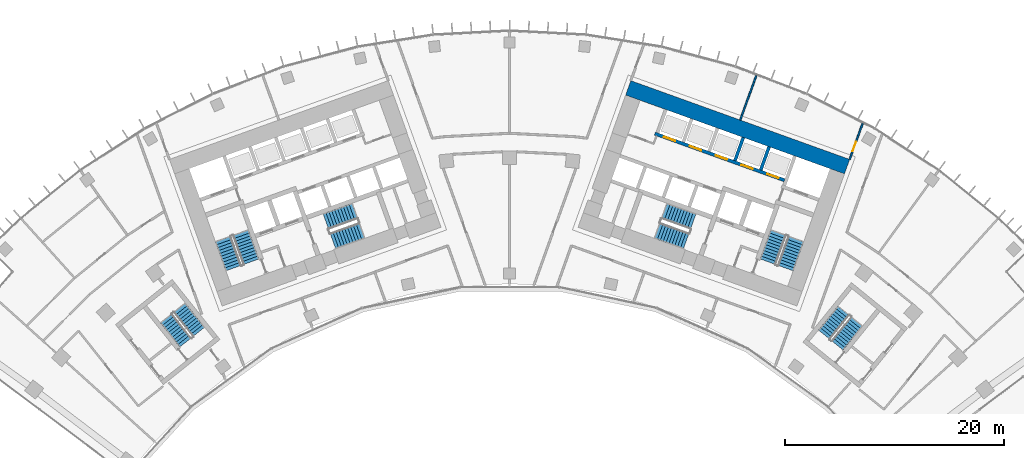
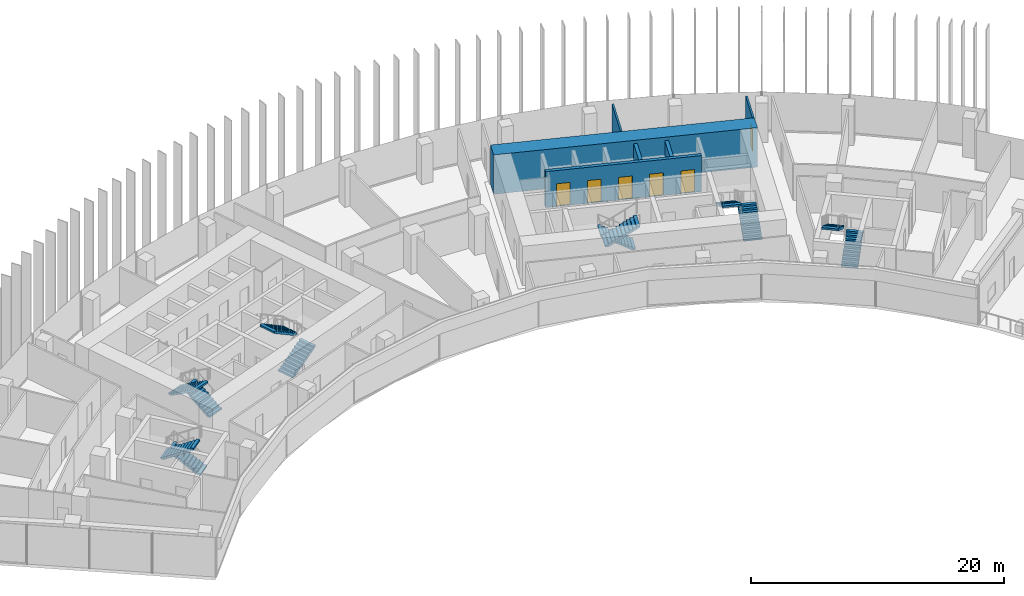
# One storey, part 20 of 23: 12 stair flights, 6 doors, 6 walls, 6 openings, 6 elements without a shape of their own.
"""IFC4 building model written with IfcOpenShell, lengths in metres."""

from ifc_helpers import new_model, si_unit, direction, frame, frame_2d, origin, place, context, subcontext, project, spatial, polyline, rectangle, outline, extrude, material, layer, layer_set, type_object, element, fill, aggregate, save


model = new_model("IFC4")

# Units and contexts
model_context = context("Model", 3, precision=1e-05, world=origin(), true_north=direction((0.0, 1.0)))
body_context = subcontext(model_context, "Body", "Model", "MODEL_VIEW")
ifc_project = project(units=[si_unit("LENGTHUNIT", "METRE"), si_unit("AREAUNIT", "SQUARE_METRE"), si_unit("VOLUMEUNIT", "CUBIC_METRE"), si_unit("PLANEANGLEUNIT", "RADIAN"), si_unit("MASSUNIT", "GRAM", prefix="KILO")], contexts=[model_context])

# Site, building, storey
site_placement = place(None, origin())
site = spatial("IfcSite", under=ifc_project, at=site_placement, CompositionType="ELEMENT")
building_placement = place(site_placement, origin())
building = spatial("IfcBuilding", under=site, at=building_placement, Name="Stone Belt Terrace Tower", CompositionType="ELEMENT")
storey_placement = place(building_placement, frame((0.0, 0.0, 144.0)))
storey = spatial("IfcBuildingStorey", under=building, at=storey_placement, Name="L34", CompositionType="ELEMENT", Elevation=144.0)

# Wall
ifc_material_1 = material(Name="Concrete B80", Category="concrete")
ifc_layer_1 = layer(ifc_material_1, 1.39990234375)
ifc_layer_set_1 = layer_set([ifc_layer_1], Name="Core wall 1400 B80")
wall_type_1 = type_object("IfcWallType", Name="Core wall 1400 B80", PredefinedType="SHEAR", material=ifc_layer_set_1)
wall_1_placement = place(storey_placement, frame((10.81787109375, 61.362060546875, 0.0), z_axis=(0.0, 0.0, 1.0), x_axis=(0.940919704758, -0.338629752382, 0.0)))
element("IfcWall", 1, at=wall_1_placement, inside=storey, type_object=wall_type_1, Name="Core B wall convex L34", PredefinedType="SHEAR", context=body_context, shape_type="SweptSolid", body=[
    extrude(rectangle(XDim=21.199951171875, YDim=1.39990234375, at=frame_2d((10.60009765625, 0.0))), origin(), (0.0, 0.0, 1.0), 3.800048828125),
])

# Wall, openings, doors
ifc_layer_2 = layer(ifc_material_1, 0.300048828125)
ifc_layer_set_2 = layer_set([ifc_layer_2], Name="Lift shaft wall 300")
wall_type_2 = type_object("IfcWallType", Name="Lift shaft wall 300", PredefinedType="SHEAR", material=ifc_layer_set_2)
wall_2_placement = place(storey_placement, frame((25.05810546875, 52.9423828125, 0.0), z_axis=(0.0, 0.0, 1.0), x_axis=(-0.940921381676, 0.338625092847, 0.0)))
wall_2 = element("IfcWall", 2, at=wall_2_placement, inside=storey, type_object=wall_type_2, Name="Core B wall", PredefinedType="SHEAR", context=body_context, shape_type="SweptSolid", body=[
    extrude(rectangle(XDim=12.550048828125, YDim=0.300048828125, at=frame_2d((6.27490234375, 0.0))), origin(), (0.0, 0.0, 1.0), 3.47998046875),
])
opening_1_placement = place(wall_2_placement, frame((0.570068359375, 0.0, 0.0)))
opening_1 = element("IfcOpeningElement", 3, at=opening_1_placement, cuts=wall_2, Name="Opening L34-LD11", PredefinedType="OPENING", context=body_context, shape_type="SweptSolid", body=[
    extrude(rectangle(XDim=1.10009765625, YDim=2.199951171875, at=frame_2d((0.550048828125, 1.10009765625))), frame((0.0, 0.159912109375, 0.0), z_axis=(0.0, -1.0, 0.0), x_axis=(1.0, 0.0, 0.0)), (0.0, 0.0, 1.0), 0.320068359375),
])
opening_2_placement = place(wall_2_placement, frame((3.070068359375, 0.0, 0.0)))
opening_2 = element("IfcOpeningElement", 4, at=opening_2_placement, cuts=wall_2, Name="Opening L34-LD12", PredefinedType="OPENING", context=body_context, shape_type="SweptSolid", body=[
    extrude(rectangle(XDim=1.10009765625, YDim=2.199951171875, at=frame_2d((0.550048828125, 1.10009765625))), frame((0.0, 0.159912109375, 0.0), z_axis=(0.0, -1.0, 0.0), x_axis=(1.0, 0.0, 0.0)), (0.0, 0.0, 1.0), 0.320068359375),
])
opening_3_placement = place(wall_2_placement, frame((5.570068359375, 0.0, 0.0)))
opening_3 = element("IfcOpeningElement", 5, at=opening_3_placement, cuts=wall_2, Name="Opening L34-LD13", PredefinedType="OPENING", context=body_context, shape_type="SweptSolid", body=[
    extrude(rectangle(XDim=1.10009765625, YDim=2.199951171875, at=frame_2d((0.550048828125, 1.10009765625))), frame((0.0, 0.159912109375, 0.0), z_axis=(0.0, -1.0, 0.0), x_axis=(1.0, 0.0, 0.0)), (0.0, 0.0, 1.0), 0.320068359375),
])
opening_4_placement = place(wall_2_placement, frame((8.070068359375, 0.0, 0.0)))
opening_4 = element("IfcOpeningElement", 6, at=opening_4_placement, cuts=wall_2, Name="Opening L34-LD14", PredefinedType="OPENING", context=body_context, shape_type="SweptSolid", body=[
    extrude(rectangle(XDim=1.10009765625, YDim=2.199951171875, at=frame_2d((0.550048828125, 1.10009765625))), frame((0.0, 0.159912109375, 0.0), z_axis=(0.0, -1.0, 0.0), x_axis=(1.0, 0.0, 0.0)), (0.0, 0.0, 1.0), 0.320068359375),
])
opening_5_placement = place(wall_2_placement, frame((10.570068359375, 0.0, 0.0)))
opening_5 = element("IfcOpeningElement", 7, at=opening_5_placement, cuts=wall_2, Name="Opening L34-LD15", PredefinedType="OPENING", context=body_context, shape_type="SweptSolid", body=[
    extrude(rectangle(XDim=1.10009765625, YDim=2.199951171875, at=frame_2d((0.550048828125, 1.10009765625))), frame((0.0, 0.159912109375, 0.0), z_axis=(0.0, -1.0, 0.0), x_axis=(1.0, 0.0, 0.0)), (0.0, 0.0, 1.0), 0.320068359375),
])
ifc_material_2 = material(Name="Stainless steel door leaf", Category="steel")
door_type_1 = type_object("IfcDoorType", Name="Landing door 1100", OperationType="SLIDING_TO_LEFT", PredefinedType="DOOR", material=ifc_material_2)
door_1_placement = place(opening_1_placement, origin())
door_1 = element("IfcDoor", 8, at=door_1_placement, inside=storey, type_object=door_type_1, Name="Landing door MR1 core B", OperationType="SLIDING_TO_LEFT", OverallHeight=2.199951171875, OverallWidth=1.10009765625, PredefinedType="DOOR", context=body_context, shape_type="SweptSolid", body=[
    extrude(rectangle(XDim=1.10009765625, YDim=2.199951171875, at=frame_2d((0.550048828125, 1.10009765625))), frame((0.0, 0.02490234375, 0.0), z_axis=(0.0, -1.0, 0.0), x_axis=(1.0, 0.0, 0.0)), (0.0, 0.0, 1.0), 0.050048828125),
])
fill(opening_1, door_1)
door_2_placement = place(opening_2_placement, origin())
door_2 = element("IfcDoor", 9, at=door_2_placement, inside=storey, type_object=door_type_1, Name="Landing door MR2 core B", OperationType="SLIDING_TO_LEFT", OverallHeight=2.199951171875, OverallWidth=1.10009765625, PredefinedType="DOOR", context=body_context, shape_type="SweptSolid", body=[
    extrude(rectangle(XDim=1.10009765625, YDim=2.199951171875, at=frame_2d((0.550048828125, 1.10009765625))), frame((0.0, 0.02490234375, 0.0), z_axis=(0.0, -1.0, 0.0), x_axis=(1.0, 0.0, 0.0)), (0.0, 0.0, 1.0), 0.050048828125),
])
fill(opening_2, door_2)
door_3_placement = place(opening_3_placement, origin())
door_3 = element("IfcDoor", 10, at=door_3_placement, inside=storey, type_object=door_type_1, Name="Landing door MR3 core B", OperationType="SLIDING_TO_LEFT", OverallHeight=2.199951171875, OverallWidth=1.10009765625, PredefinedType="DOOR", context=body_context, shape_type="SweptSolid", body=[
    extrude(rectangle(XDim=1.10009765625, YDim=2.199951171875, at=frame_2d((0.550048828125, 1.10009765625))), frame((0.0, 0.02490234375, 0.0), z_axis=(0.0, -1.0, 0.0), x_axis=(1.0, 0.0, 0.0)), (0.0, 0.0, 1.0), 0.050048828125),
])
fill(opening_3, door_3)
door_4_placement = place(opening_4_placement, origin())
door_4 = element("IfcDoor", 11, at=door_4_placement, inside=storey, type_object=door_type_1, Name="Landing door MR4 core B", OperationType="SLIDING_TO_LEFT", OverallHeight=2.199951171875, OverallWidth=1.10009765625, PredefinedType="DOOR", context=body_context, shape_type="SweptSolid", body=[
    extrude(rectangle(XDim=1.10009765625, YDim=2.199951171875, at=frame_2d((0.550048828125, 1.10009765625))), frame((0.0, 0.02490234375, 0.0), z_axis=(0.0, -1.0, 0.0), x_axis=(1.0, 0.0, 0.0)), (0.0, 0.0, 1.0), 0.050048828125),
])
fill(opening_4, door_4)
door_5_placement = place(opening_5_placement, origin())
door_5 = element("IfcDoor", 12, at=door_5_placement, inside=storey, type_object=door_type_1, Name="Landing door MR5 core B", OperationType="SLIDING_TO_LEFT", OverallHeight=2.199951171875, OverallWidth=1.10009765625, PredefinedType="DOOR", context=body_context, shape_type="SweptSolid", body=[
    extrude(rectangle(XDim=1.10009765625, YDim=2.199951171875, at=frame_2d((0.550048828125, 1.10009765625))), frame((0.0, 0.02490234375, 0.0), z_axis=(0.0, -1.0, 0.0), x_axis=(1.0, 0.0, 0.0)), (0.0, 0.0, 1.0), 0.050048828125),
])
fill(opening_5, door_5)

# Walls
wall_3_placement = place(storey_placement, frame((22.897705078125, 53.87939453125, 0.0), z_axis=(0.0, 0.0, 1.0), x_axis=(0.338535034312, 0.940953787677, 0.0)))
element("IfcWall", 13, at=wall_3_placement, inside=storey, type_object=wall_type_2, Name="Core B wall", PredefinedType="SHEAR", context=body_context, shape_type="SweptSolid", body=[
    extrude(rectangle(XDim=2.25, YDim=0.300048828125, at=frame_2d((1.125, 0.0))), origin(), (0.0, 0.0, 1.0), 3.47998046875),
])
wall_4_placement = place(storey_placement, frame((20.54541015625, 54.72607421875, 0.0), z_axis=(0.0, 0.0, 1.0), x_axis=(0.338569601369, 0.940941350472, 0.0)))
element("IfcWall", 14, at=wall_4_placement, inside=storey, type_object=wall_type_2, Name="Core B wall", PredefinedType="SHEAR", context=body_context, shape_type="SweptSolid", body=[
    extrude(rectangle(XDim=2.249755859375, YDim=0.300048828125, at=frame_2d((1.125, 0.0))), origin(), (0.0, 0.0, 1.0), 3.47998046875),
])

# Wall, opening, door
ifc_material_3 = material(Name="Gypsum board partition")
ifc_layer_3 = layer(ifc_material_3, 0.14990234375)
ifc_layer_set_3 = layer_set([ifc_layer_3], Name="PARTITION 150 EI 60")
wall_type_3 = type_object("IfcWallType", Name="PARTITION 150 EI 60", PredefinedType="PARTITIONING", material=ifc_layer_set_3)
wall_5_placement = place(storey_placement, frame((31.001953125, 54.842041015625, 0.0), z_axis=(0.0, 0.0, 1.0), x_axis=(0.338662585219, 0.940907887826, 0.0)))
wall_5 = element("IfcWall", 15, at=wall_5_placement, inside=storey, type_object=wall_type_3, Name="L34/wall/i024", PredefinedType="PARTITIONING", context=body_context, shape_type="SweptSolid", body=[
    extrude(rectangle(XDim=3.49560546875, YDim=0.14990234375, at=frame_2d((1.747802734375, 0.0))), origin(), (0.0, 0.0, 1.0), 3.47998046875),
])
opening_6_placement = place(wall_5_placement, frame((0.798828125, 0.0, 0.0)))
opening_6 = element("IfcOpeningElement", 16, at=opening_6_placement, cuts=wall_5, Name="Opening D-SK1-10", PredefinedType="OPENING", context=body_context, shape_type="SweptSolid", body=[
    extrude(rectangle(XDim=0.89990234375, YDim=2.10009765625, at=frame_2d((0.449951171875, 1.050048828125))), frame((0.0, 0.0849609375, 0.0), z_axis=(0.0, -1.0, 0.0), x_axis=(1.0, 0.0, 0.0)), (0.0, 0.0, 1.0), 0.169921875),
])
ifc_material_4 = material(Name="Timber door leaf", Category="wood")
door_type_2 = type_object("IfcDoorType", Name="OFFICE DOOR 900 X 2100", OperationType="NOTDEFINED", PredefinedType="DOOR", material=ifc_material_4)
door_6_placement = place(opening_6_placement, origin())
door_6 = element("IfcDoor", 17, at=door_6_placement, inside=storey, type_object=door_type_2, Name="L34/door/i10", OperationType="SINGLE_SWING_LEFT", OverallHeight=2.10009765625, OverallWidth=0.89990234375, PredefinedType="DOOR", context=body_context, shape_type="SweptSolid", body=[
    extrude(rectangle(XDim=0.89990234375, YDim=2.10009765625, at=frame_2d((0.449951171875, 1.050048828125))), frame((0.0, 0.02490234375, 0.0), z_axis=(0.0, -1.0, 0.0), x_axis=(1.0, 0.0, 0.0)), (0.0, 0.0, 1.0), 0.050048828125),
])
fill(opening_6, door_6)

# Wall
wall_6_placement = place(storey_placement, frame((22.492919921875, 62.4990234375, 0.0), z_axis=(0.0, 0.0, 1.0), x_axis=(-0.338585491978, -0.94093563256, 0.0)))
element("IfcWall", 18, at=wall_6_placement, inside=storey, type_object=wall_type_3, Name="L34/wall/i034", PredefinedType="PARTITIONING", context=body_context, shape_type="SweptSolid", body=[
    extrude(rectangle(XDim=4.323486328125, YDim=0.14990234375, at=frame_2d((2.16162109375, 0.0))), origin(), (0.0, 0.0, 1.0), 3.47998046875),
])

# Stair, stair flights
ifc_material_5 = material(Name="Concrete B40", Category="concrete")
stair_type = type_object("IfcStairType", Name="Exit stair 1500", PredefinedType="HALF_TURN_STAIR", material=ifc_material_5)
stair_1_placement = place(storey_placement, origin())
stair_1 = element("IfcStair", 19, at=stair_1_placement, inside=storey, type_object=stair_type, Name="L34 Exit stair 1 core A", PredefinedType="HALF_TURN_STAIR")
stair_flight_type = type_object("IfcStairFlightType", Name="Stair flight 1500", PredefinedType="STRAIGHT", material=ifc_material_5)
stair_flight_1_placement = place(storey_placement, frame((-23.55322265625, 45.51318359375, 0.0), z_axis=(0.0, 0.0, 1.0), x_axis=(-0.338624396177, 0.940921632398, 0.0)))
stair_flight_1 = element("IfcStairFlight", 20, at=stair_flight_1_placement, type_object=stair_flight_type, Name="ST1A flight 1", NumberOfRisers=11, NumberOfTreads=10, PredefinedType="STRAIGHT", RiserHeight=0.172727273, TreadLength=0.28, context=body_context, shape_type="SweptSolid", body=[
    extrude(outline(polyline([(0.0, 0.0), (0.0, 0.172607421875), (0.280029296875, 0.172607421875), (0.280029296875, 0.345458984375), (0.56005859375, 0.345458984375), (0.56005859375, 0.51806640625), (0.840087890625, 0.51806640625), (0.840087890625, 0.69091796875), (1.1201171875, 0.69091796875), (1.1201171875, 0.863525390625), (1.39990234375, 0.863525390625), (1.39990234375, 1.036376953125), (1.679931640625, 1.036376953125), (1.679931640625, 1.208984375), (1.9599609375, 1.208984375), (1.9599609375, 1.3818359375), (2.239990234375, 1.3818359375), (2.239990234375, 1.554443359375), (2.52001953125, 1.554443359375), (2.52001953125, 1.727294921875), (2.800048828125, 1.727294921875), (2.800048828125, 1.89990234375), (2.800048828125, 1.551025390625), (0.285400390625, 0.0), (0.0, 0.0)])), frame((0.0, 0.75, 0.0), z_axis=(0.0, -1.0, 0.0), x_axis=(1.0, 0.0, 0.0)), (0.0, 0.0, 1.0), 1.5),
])
stair_flight_2_placement = place(storey_placement, frame((-26.10107421875, 47.572021484375, 1.89990234375), z_axis=(0.0, 0.0, 1.0), x_axis=(0.338624396177, -0.940921632398, 0.0)))
stair_flight_2 = element("IfcStairFlight", 21, at=stair_flight_2_placement, type_object=stair_flight_type, Name="ST1A flight 2", NumberOfRisers=11, NumberOfTreads=10, PredefinedType="STRAIGHT", RiserHeight=0.172727273, TreadLength=0.28, context=body_context, shape_type="SweptSolid", body=[
    extrude(outline(polyline([(0.0, 0.0), (0.0, 0.172607421875), (0.280029296875, 0.172607421875), (0.280029296875, 0.345458984375), (0.56005859375, 0.345458984375), (0.56005859375, 0.51806640625), (0.840087890625, 0.51806640625), (0.840087890625, 0.69091796875), (1.1201171875, 0.69091796875), (1.1201171875, 0.863525390625), (1.39990234375, 0.863525390625), (1.39990234375, 1.036376953125), (1.679931640625, 1.036376953125), (1.679931640625, 1.208984375), (1.9599609375, 1.208984375), (1.9599609375, 1.3818359375), (2.239990234375, 1.3818359375), (2.239990234375, 1.554443359375), (2.52001953125, 1.554443359375), (2.52001953125, 1.727294921875), (2.800048828125, 1.727294921875), (2.800048828125, 1.89990234375), (2.800048828125, 1.551025390625), (0.285400390625, 0.0), (0.0, 0.0)])), frame((0.0, 0.75, 0.0), z_axis=(0.0, -1.0, 0.0), x_axis=(1.0, 0.0, 0.0)), (0.0, 0.0, 1.0), 1.5),
])
aggregate(stair_1, [stair_flight_1, stair_flight_2])

stair_2_placement = place(storey_placement, origin())
stair_2 = element("IfcStair", 22, at=stair_2_placement, inside=storey, type_object=stair_type, Name="L34 Exit stair 2 core A", PredefinedType="HALF_TURN_STAIR")
stair_flight_3_placement = place(storey_placement, frame((-16.101318359375, 47.39794921875, 0.0), z_axis=(0.0, 0.0, 1.0), x_axis=(0.940921632398, 0.338624396177, 0.0)))
stair_flight_3 = element("IfcStairFlight", 23, at=stair_flight_3_placement, type_object=stair_flight_type, Name="ST2A flight 1", NumberOfRisers=11, NumberOfTreads=10, PredefinedType="STRAIGHT", RiserHeight=0.172727273, TreadLength=0.28, context=body_context, shape_type="SweptSolid", body=[
    extrude(outline(polyline([(0.0, 0.0), (0.0, 0.172607421875), (0.280029296875, 0.172607421875), (0.280029296875, 0.345458984375), (0.56005859375, 0.345458984375), (0.56005859375, 0.51806640625), (0.840087890625, 0.51806640625), (0.840087890625, 0.69091796875), (1.1201171875, 0.69091796875), (1.1201171875, 0.863525390625), (1.39990234375, 0.863525390625), (1.39990234375, 1.036376953125), (1.679931640625, 1.036376953125), (1.679931640625, 1.208984375), (1.9599609375, 1.208984375), (1.9599609375, 1.3818359375), (2.239990234375, 1.3818359375), (2.239990234375, 1.554443359375), (2.52001953125, 1.554443359375), (2.52001953125, 1.727294921875), (2.800048828125, 1.727294921875), (2.800048828125, 1.89990234375), (2.800048828125, 1.551025390625), (0.285400390625, 0.0), (0.0, 0.0)])), frame((0.0, 0.75, 0.0), z_axis=(0.0, -1.0, 0.0), x_axis=(1.0, 0.0, 0.0)), (0.0, 0.0, 1.0), 1.5),
])
stair_flight_4_placement = place(storey_placement, frame((-14.110107421875, 50.1337890625, 1.89990234375), z_axis=(0.0, 0.0, 1.0), x_axis=(-0.940921632398, -0.338624396177, 0.0)))
stair_flight_4 = element("IfcStairFlight", 24, at=stair_flight_4_placement, type_object=stair_flight_type, Name="ST2A flight 2", NumberOfRisers=11, NumberOfTreads=10, PredefinedType="STRAIGHT", RiserHeight=0.172727273, TreadLength=0.28, context=body_context, shape_type="SweptSolid", body=[
    extrude(outline(polyline([(0.0, 0.0), (0.0, 0.172607421875), (0.280029296875, 0.172607421875), (0.280029296875, 0.345458984375), (0.56005859375, 0.345458984375), (0.56005859375, 0.51806640625), (0.840087890625, 0.51806640625), (0.840087890625, 0.69091796875), (1.1201171875, 0.69091796875), (1.1201171875, 0.863525390625), (1.39990234375, 0.863525390625), (1.39990234375, 1.036376953125), (1.679931640625, 1.036376953125), (1.679931640625, 1.208984375), (1.9599609375, 1.208984375), (1.9599609375, 1.3818359375), (2.239990234375, 1.3818359375), (2.239990234375, 1.554443359375), (2.52001953125, 1.554443359375), (2.52001953125, 1.727294921875), (2.800048828125, 1.727294921875), (2.800048828125, 1.89990234375), (2.800048828125, 1.551025390625), (0.285400390625, 0.0), (0.0, 0.0)])), frame((0.0, 0.75, 0.0), z_axis=(0.0, -1.0, 0.0), x_axis=(1.0, 0.0, 0.0)), (0.0, 0.0, 1.0), 1.5),
])
aggregate(stair_2, [stair_flight_3, stair_flight_4])

stair_3_placement = place(storey_placement, origin())
stair_3 = element("IfcStair", 25, at=stair_3_placement, inside=storey, type_object=stair_type, Name="L34 Exit stair 1 core B", PredefinedType="HALF_TURN_STAIR")
stair_flight_5_placement = place(storey_placement, frame((25.15283203125, 44.9375, 0.0), z_axis=(0.0, 0.0, 1.0), x_axis=(0.338624396177, 0.940921632398, 0.0)))
stair_flight_5 = element("IfcStairFlight", 26, at=stair_flight_5_placement, type_object=stair_flight_type, Name="ST1B flight 1", NumberOfRisers=11, NumberOfTreads=10, PredefinedType="STRAIGHT", RiserHeight=0.172727273, TreadLength=0.28, context=body_context, shape_type="SweptSolid", body=[
    extrude(outline(polyline([(0.0, 0.0), (0.0, 0.172607421875), (0.280029296875, 0.172607421875), (0.280029296875, 0.345458984375), (0.56005859375, 0.345458984375), (0.56005859375, 0.51806640625), (0.840087890625, 0.51806640625), (0.840087890625, 0.69091796875), (1.1201171875, 0.69091796875), (1.1201171875, 0.863525390625), (1.39990234375, 0.863525390625), (1.39990234375, 1.036376953125), (1.679931640625, 1.036376953125), (1.679931640625, 1.208984375), (1.9599609375, 1.208984375), (1.9599609375, 1.3818359375), (2.239990234375, 1.3818359375), (2.239990234375, 1.554443359375), (2.52001953125, 1.554443359375), (2.52001953125, 1.727294921875), (2.800048828125, 1.727294921875), (2.800048828125, 1.89990234375), (2.800048828125, 1.551025390625), (0.285400390625, 0.0), (0.0, 0.0)])), frame((0.0, 0.75, 0.0), z_axis=(0.0, -1.0, 0.0), x_axis=(1.0, 0.0, 0.0)), (0.0, 0.0, 1.0), 1.5),
])
stair_flight_6_placement = place(storey_placement, frame((24.50146484375, 48.147705078125, 1.89990234375), z_axis=(0.0, 0.0, 1.0), x_axis=(-0.338624396177, -0.940921632398, 0.0)))
stair_flight_6 = element("IfcStairFlight", 27, at=stair_flight_6_placement, type_object=stair_flight_type, Name="ST1B flight 2", NumberOfRisers=11, NumberOfTreads=10, PredefinedType="STRAIGHT", RiserHeight=0.172727273, TreadLength=0.28, context=body_context, shape_type="SweptSolid", body=[
    extrude(outline(polyline([(0.0, 0.0), (0.0, 0.172607421875), (0.280029296875, 0.172607421875), (0.280029296875, 0.345458984375), (0.56005859375, 0.345458984375), (0.56005859375, 0.51806640625), (0.840087890625, 0.51806640625), (0.840087890625, 0.69091796875), (1.1201171875, 0.69091796875), (1.1201171875, 0.863525390625), (1.39990234375, 0.863525390625), (1.39990234375, 1.036376953125), (1.679931640625, 1.036376953125), (1.679931640625, 1.208984375), (1.9599609375, 1.208984375), (1.9599609375, 1.3818359375), (2.239990234375, 1.3818359375), (2.239990234375, 1.554443359375), (2.52001953125, 1.554443359375), (2.52001953125, 1.727294921875), (2.800048828125, 1.727294921875), (2.800048828125, 1.89990234375), (2.800048828125, 1.551025390625), (0.285400390625, 0.0), (0.0, 0.0)])), frame((0.0, 0.75, 0.0), z_axis=(0.0, -1.0, 0.0), x_axis=(1.0, 0.0, 0.0)), (0.0, 0.0, 1.0), 1.5),
])
aggregate(stair_3, [stair_flight_5, stair_flight_6])

stair_4_placement = place(storey_placement, origin())
stair_4 = element("IfcStair", 28, at=stair_4_placement, inside=storey, type_object=stair_type, Name="L34 Exit stair 2 core B", PredefinedType="HALF_TURN_STAIR")
stair_flight_7_placement = place(storey_placement, frame((16.74462890625, 49.185546875, 0.0), z_axis=(0.0, 0.0, 1.0), x_axis=(-0.940921632398, 0.338624396177, 0.0)))
stair_flight_7 = element("IfcStairFlight", 29, at=stair_flight_7_placement, type_object=stair_flight_type, Name="ST2B flight 1", NumberOfRisers=11, NumberOfTreads=10, PredefinedType="STRAIGHT", RiserHeight=0.172727273, TreadLength=0.28, context=body_context, shape_type="SweptSolid", body=[
    extrude(outline(polyline([(0.0, 0.0), (0.0, 0.172607421875), (0.280029296875, 0.172607421875), (0.280029296875, 0.345458984375), (0.56005859375, 0.345458984375), (0.56005859375, 0.51806640625), (0.840087890625, 0.51806640625), (0.840087890625, 0.69091796875), (1.1201171875, 0.69091796875), (1.1201171875, 0.863525390625), (1.39990234375, 0.863525390625), (1.39990234375, 1.036376953125), (1.679931640625, 1.036376953125), (1.679931640625, 1.208984375), (1.9599609375, 1.208984375), (1.9599609375, 1.3818359375), (2.239990234375, 1.3818359375), (2.239990234375, 1.554443359375), (2.52001953125, 1.554443359375), (2.52001953125, 1.727294921875), (2.800048828125, 1.727294921875), (2.800048828125, 1.89990234375), (2.800048828125, 1.551025390625), (0.285400390625, 0.0), (0.0, 0.0)])), frame((0.0, 0.75, 0.0), z_axis=(0.0, -1.0, 0.0), x_axis=(1.0, 0.0, 0.0)), (0.0, 0.0, 1.0), 1.5),
])
stair_flight_8_placement = place(storey_placement, frame((13.466796875, 48.345947265625, 1.89990234375), z_axis=(0.0, 0.0, 1.0), x_axis=(0.940921632398, -0.338624396177, 0.0)))
stair_flight_8 = element("IfcStairFlight", 30, at=stair_flight_8_placement, type_object=stair_flight_type, Name="ST2B flight 2", NumberOfRisers=11, NumberOfTreads=10, PredefinedType="STRAIGHT", RiserHeight=0.172727273, TreadLength=0.28, context=body_context, shape_type="SweptSolid", body=[
    extrude(outline(polyline([(0.0, 0.0), (0.0, 0.172607421875), (0.280029296875, 0.172607421875), (0.280029296875, 0.345458984375), (0.56005859375, 0.345458984375), (0.56005859375, 0.51806640625), (0.840087890625, 0.51806640625), (0.840087890625, 0.69091796875), (1.1201171875, 0.69091796875), (1.1201171875, 0.863525390625), (1.39990234375, 0.863525390625), (1.39990234375, 1.036376953125), (1.679931640625, 1.036376953125), (1.679931640625, 1.208984375), (1.9599609375, 1.208984375), (1.9599609375, 1.3818359375), (2.239990234375, 1.3818359375), (2.239990234375, 1.554443359375), (2.52001953125, 1.554443359375), (2.52001953125, 1.727294921875), (2.800048828125, 1.727294921875), (2.800048828125, 1.89990234375), (2.800048828125, 1.551025390625), (0.285400390625, 0.0), (0.0, 0.0)])), frame((0.0, 0.75, 0.0), z_axis=(0.0, -1.0, 0.0), x_axis=(1.0, 0.0, 0.0)), (0.0, 0.0, 1.0), 1.5),
])
aggregate(stair_4, [stair_flight_7, stair_flight_8])

stair_5_placement = place(storey_placement, origin())
stair_5 = element("IfcStair", 31, at=stair_5_placement, inside=storey, type_object=stair_type, Name="L34 Exit stair 3A", PredefinedType="HALF_TURN_STAIR")
stair_flight_9_placement = place(storey_placement, frame((-28.325439453125, 39.1240234375, 0.0), z_axis=(0.0, 0.0, 1.0), x_axis=(-0.623121363691, 0.782125160132, 0.0)))
stair_flight_9 = element("IfcStairFlight", 32, at=stair_flight_9_placement, type_object=stair_flight_type, Name="ST3A flight 1", NumberOfRisers=11, NumberOfTreads=10, PredefinedType="STRAIGHT", RiserHeight=0.172727273, TreadLength=0.28, context=body_context, shape_type="SweptSolid", body=[
    extrude(outline(polyline([(0.0, 0.0), (0.0, 0.172607421875), (0.280029296875, 0.172607421875), (0.280029296875, 0.345458984375), (0.56005859375, 0.345458984375), (0.56005859375, 0.51806640625), (0.840087890625, 0.51806640625), (0.840087890625, 0.69091796875), (1.1201171875, 0.69091796875), (1.1201171875, 0.863525390625), (1.39990234375, 0.863525390625), (1.39990234375, 1.036376953125), (1.679931640625, 1.036376953125), (1.679931640625, 1.208984375), (1.9599609375, 1.208984375), (1.9599609375, 1.3818359375), (2.239990234375, 1.3818359375), (2.239990234375, 1.554443359375), (2.52001953125, 1.554443359375), (2.52001953125, 1.727294921875), (2.800048828125, 1.727294921875), (2.800048828125, 1.89990234375), (2.800048828125, 1.551025390625), (0.285400390625, 0.0), (0.0, 0.0)])), frame((0.0, 0.675048828125, 0.0), z_axis=(0.0, -1.0, 0.0), x_axis=(1.0, 0.0, 0.0)), (0.0, 0.0, 1.0), 1.35009765625),
])
stair_flight_10_placement = place(storey_placement, frame((-31.282470703125, 40.34814453125, 1.89990234375), z_axis=(0.0, 0.0, 1.0), x_axis=(0.623121363691, -0.782125160132, 0.0)))
stair_flight_10 = element("IfcStairFlight", 33, at=stair_flight_10_placement, type_object=stair_flight_type, Name="ST3A flight 2", NumberOfRisers=11, NumberOfTreads=10, PredefinedType="STRAIGHT", RiserHeight=0.172727273, TreadLength=0.28, context=body_context, shape_type="SweptSolid", body=[
    extrude(outline(polyline([(0.0, 0.0), (0.0, 0.172607421875), (0.280029296875, 0.172607421875), (0.280029296875, 0.345458984375), (0.56005859375, 0.345458984375), (0.56005859375, 0.51806640625), (0.840087890625, 0.51806640625), (0.840087890625, 0.69091796875), (1.1201171875, 0.69091796875), (1.1201171875, 0.863525390625), (1.39990234375, 0.863525390625), (1.39990234375, 1.036376953125), (1.679931640625, 1.036376953125), (1.679931640625, 1.208984375), (1.9599609375, 1.208984375), (1.9599609375, 1.3818359375), (2.239990234375, 1.3818359375), (2.239990234375, 1.554443359375), (2.52001953125, 1.554443359375), (2.52001953125, 1.727294921875), (2.800048828125, 1.727294921875), (2.800048828125, 1.89990234375), (2.800048828125, 1.551025390625), (0.285400390625, 0.0), (0.0, 0.0)])), frame((0.0, 0.675048828125, 0.0), z_axis=(0.0, -1.0, 0.0), x_axis=(1.0, 0.0, 0.0)), (0.0, 0.0, 1.0), 1.35009765625),
])
aggregate(stair_5, [stair_flight_9, stair_flight_10])

stair_6_placement = place(storey_placement, origin())
stair_6 = element("IfcStair", 34, at=stair_6_placement, inside=storey, type_object=stair_type, Name="L34 Exit stair 3B", PredefinedType="HALF_TURN_STAIR")
stair_flight_11_placement = place(storey_placement, frame((29.88330078125, 37.887939453125, 0.0), z_axis=(0.0, 0.0, 1.0), x_axis=(0.630205749599, 0.776428176441, 0.0)))
stair_flight_11 = element("IfcStairFlight", 35, at=stair_flight_11_placement, type_object=stair_flight_type, Name="ST3B flight 1", NumberOfRisers=11, NumberOfTreads=10, PredefinedType="STRAIGHT", RiserHeight=0.172727273, TreadLength=0.28, context=body_context, shape_type="SweptSolid", body=[
    extrude(outline(polyline([(0.0, 0.0), (0.0, 0.172607421875), (0.280029296875, 0.172607421875), (0.280029296875, 0.345458984375), (0.56005859375, 0.345458984375), (0.56005859375, 0.51806640625), (0.840087890625, 0.51806640625), (0.840087890625, 0.69091796875), (1.1201171875, 0.69091796875), (1.1201171875, 0.863525390625), (1.39990234375, 0.863525390625), (1.39990234375, 1.036376953125), (1.679931640625, 1.036376953125), (1.679931640625, 1.208984375), (1.9599609375, 1.208984375), (1.9599609375, 1.3818359375), (2.239990234375, 1.3818359375), (2.239990234375, 1.554443359375), (2.52001953125, 1.554443359375), (2.52001953125, 1.727294921875), (2.800048828125, 1.727294921875), (2.800048828125, 1.89990234375), (2.800048828125, 1.551025390625), (0.285400390625, 0.0), (0.0, 0.0)])), frame((0.0, 0.675048828125, 0.0), z_axis=(0.0, -1.0, 0.0), x_axis=(1.0, 0.0, 0.0)), (0.0, 0.0, 1.0), 1.35009765625),
])
stair_flight_12_placement = place(storey_placement, frame((30.4443359375, 41.038818359375, 1.89990234375), z_axis=(0.0, 0.0, 1.0), x_axis=(-0.630205749599, -0.776428176441, 0.0)))
stair_flight_12 = element("IfcStairFlight", 36, at=stair_flight_12_placement, type_object=stair_flight_type, Name="ST3B flight 2", NumberOfRisers=11, NumberOfTreads=10, PredefinedType="STRAIGHT", RiserHeight=0.172727273, TreadLength=0.28, context=body_context, shape_type="SweptSolid", body=[
    extrude(outline(polyline([(0.0, 0.0), (0.0, 0.172607421875), (0.280029296875, 0.172607421875), (0.280029296875, 0.345458984375), (0.56005859375, 0.345458984375), (0.56005859375, 0.51806640625), (0.840087890625, 0.51806640625), (0.840087890625, 0.69091796875), (1.1201171875, 0.69091796875), (1.1201171875, 0.863525390625), (1.39990234375, 0.863525390625), (1.39990234375, 1.036376953125), (1.679931640625, 1.036376953125), (1.679931640625, 1.208984375), (1.9599609375, 1.208984375), (1.9599609375, 1.3818359375), (2.239990234375, 1.3818359375), (2.239990234375, 1.554443359375), (2.52001953125, 1.554443359375), (2.52001953125, 1.727294921875), (2.800048828125, 1.727294921875), (2.800048828125, 1.89990234375), (2.800048828125, 1.551025390625), (0.285400390625, 0.0), (0.0, 0.0)])), frame((0.0, 0.675048828125, 0.0), z_axis=(0.0, -1.0, 0.0), x_axis=(1.0, 0.0, 0.0)), (0.0, 0.0, 1.0), 1.35009765625),
])
aggregate(stair_6, [stair_flight_11, stair_flight_12])

save(model, "model.ifc")
